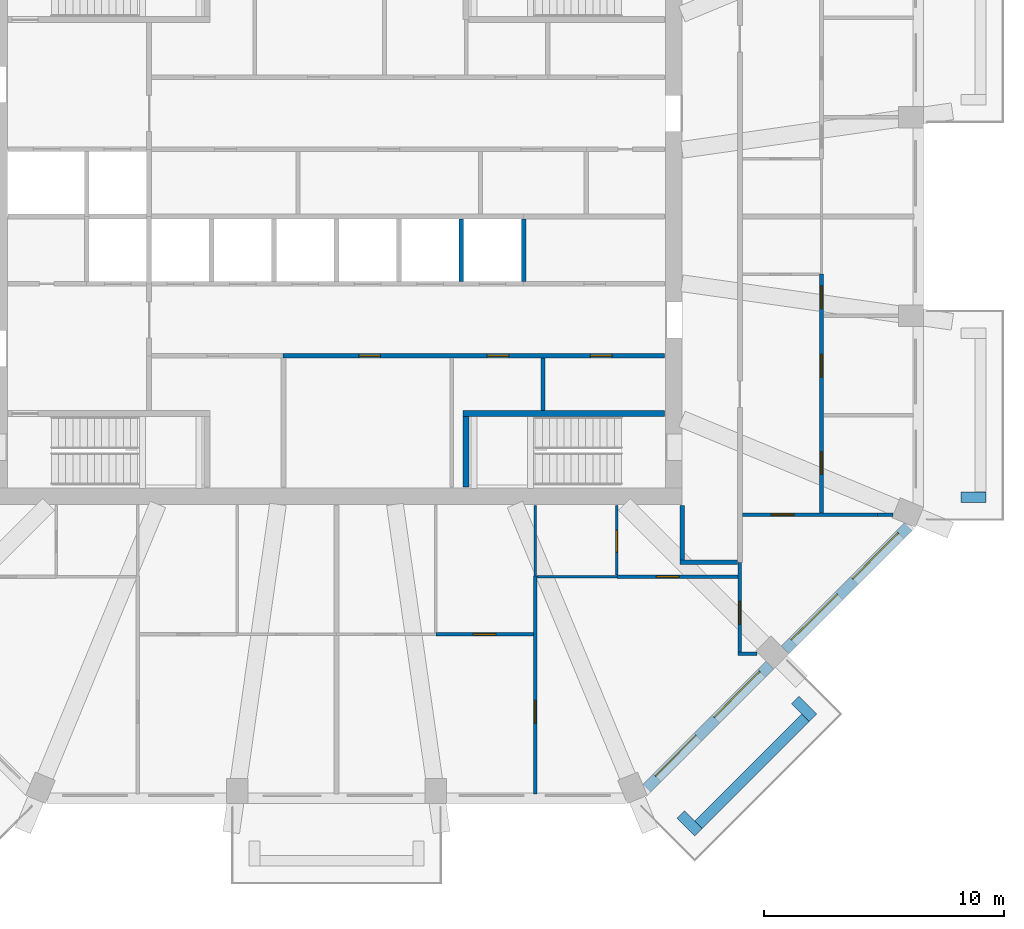
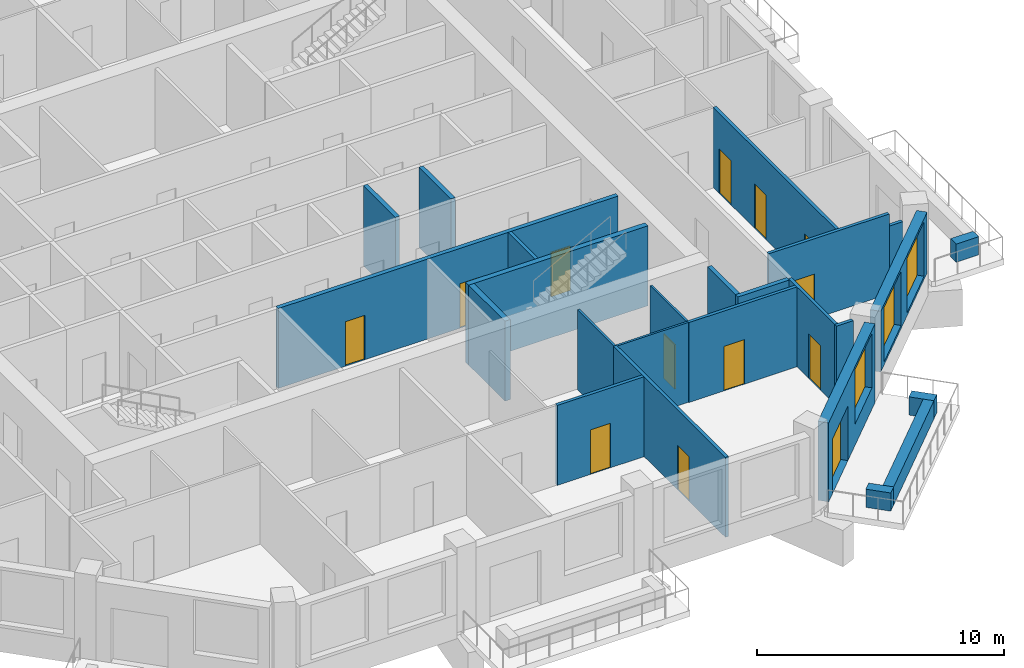
# One storey, part 5 of 12: 25 walls, 13 doors, 3 windows, 16 openings.
"""IFC4 building model written with IfcOpenShell, lengths in metres."""

from ifc_helpers import new_model, si_unit, direction, frame, frame_2d, origin, place, context, subcontext, project, spatial, rectangle, extrude, material, layer, layer_set, type_object, element, fill, save


model = new_model("IFC4")

# Units and contexts
model_context = context("Model", 3, precision=1e-05, world=origin(), true_north=direction((0.0, 1.0)))
body_context = subcontext(model_context, "Body", "Model", "MODEL_VIEW")
ifc_project = project(units=[si_unit("LENGTHUNIT", "METRE"), si_unit("AREAUNIT", "SQUARE_METRE"), si_unit("VOLUMEUNIT", "CUBIC_METRE"), si_unit("PLANEANGLEUNIT", "RADIAN"), si_unit("MASSUNIT", "GRAM", prefix="KILO")], contexts=[model_context])

# Site, building, storey
site_placement = place(None, origin())
site = spatial("IfcSite", under=ifc_project, at=site_placement, CompositionType="ELEMENT")
building_placement = place(site_placement, origin())
building = spatial("IfcBuilding", under=site, at=building_placement, Name="Msitu Wima Residences", CompositionType="ELEMENT")
storey_placement = place(building_placement, frame((0.0, 0.0, 162.300048828125)))
storey = spatial("IfcBuildingStorey", under=building, at=storey_placement, Name="L37", CompositionType="ELEMENT", Elevation=162.300048828125)

# Walls
ifc_material_1 = material(Name="Facing brick")
ifc_layer_1 = layer(ifc_material_1, 0.06494140625, Name="Facing brick")
ifc_material_2 = material(Name="Concrete C40/50", Category="concrete")
ifc_layer_2 = layer(ifc_material_2, 0.156005859375, Name="Concrete C40/50")
ifc_material_3 = material(Name="Waterproofing membrane")
ifc_layer_3 = layer(ifc_material_3, 0.00390625, Name="Waterproofing membrane")
ifc_material_4 = material(Name="Planting soil and planting")
ifc_layer_4 = layer(ifc_material_4, 0.22509765625, Name="Planting soil and planting")
ifc_layer_set_1 = layer_set([ifc_layer_1, ifc_layer_2, ifc_layer_3, ifc_layer_4], Name="Concrete C40/50")
wall_type_1 = type_object("IfcWallType", Name="Balcony planter PLANTER PL450", PredefinedType="USERDEFINED", material=ifc_layer_set_1)
wall_1_placement = place(storey_placement, frame((26.0, -11.686767578125, 0.0), z_axis=(0.0, 0.0, 1.0), x_axis=(1.0, 0.0, 0.0)))
element("IfcWall", 1, at=wall_1_placement, inside=storey, type_object=wall_type_1, Name="Balcony planter E0 L37", ObjectType="PLANTER", PredefinedType="USERDEFINED", context=body_context, shape_type="SweptSolid", body=[
    extrude(rectangle(XDim=1.050048828125, YDim=0.449951171875, at=frame_2d((0.52490234375, 0.0))), origin(), (0.0, 0.0, 1.0), 0.89990234375),
])
wall_2_placement = place(storey_placement, frame((15.0810546875, -25.325927734375, 0.0), z_axis=(0.0, 0.0, 1.0), x_axis=(0.707106781187, 0.707106781187, 0.0)))
element("IfcWall", 2, at=wall_2_placement, inside=storey, type_object=wall_type_1, Name="Balcony planter SE0 L37", ObjectType="PLANTER", PredefinedType="USERDEFINED", context=body_context, shape_type="SweptSolid", body=[
    extrude(rectangle(XDim=6.294189453125, YDim=0.449951171875, at=frame_2d((3.14697265625, 0.0))), origin(), (0.0, 0.0, 1.0), 0.89990234375),
])
for number, where, z_axis, x_axis, name in (
    (3, (14.338623046875, -24.901611328125, 0.0), (0.0, 0.0, 1.0), (0.707106781187, -0.707106781187, 0.0), "Balcony planter SE0 L37"),
    (4, (19.107421875, -20.1328125, 0.0), (0.0, 0.0, 1.0), (0.707106781187, -0.707106781187, 0.0), "Balcony planter SE0 L37"),
):
    element("IfcWall", number, at=place(storey_placement, frame(where, z_axis=z_axis, x_axis=x_axis)), inside=storey, type_object=wall_type_1, Name=name, ObjectType="PLANTER", PredefinedType="USERDEFINED", context=body_context, shape_type="SweptSolid", body=[
        extrude(rectangle(XDim=1.050048828125, YDim=0.449951171875, at=frame_2d((0.52490234375, 0.0))), origin(), (0.0, 0.0, 1.0), 0.89990234375),
    ])

# Wall, openings, door, window
ifc_material_5 = material(Name="Brick (red buff mix)", Category="masonry")
ifc_layer_5 = layer(ifc_material_5, 0.449951171875)
ifc_layer_set_2 = layer_set([ifc_layer_5], Name="Brick (red buff mix)")
wall_type_2 = type_object("IfcWallType", Name="Brick infill wall BW450", PredefinedType="SOLIDWALL", material=ifc_layer_set_2)
wall_3_placement = place(storey_placement, frame((12.915283203125, -23.814697265625, 0.0), z_axis=(0.0, 0.0, 1.0), x_axis=(0.707106781187, 0.707106781187, 0.0)))
wall_3 = element("IfcWall", 5, at=wall_3_placement, inside=storey, type_object=wall_type_2, Name="Brick infill wall L37 SE0", PredefinedType="SOLIDWALL", context=body_context, shape_type="SweptSolid", body=[
    extrude(rectangle(XDim=7.257080078125, YDim=0.449951171875, at=frame_2d((3.62841796875, 0.0))), origin(), (0.0, 0.0, 1.0), 3.89990234375),
])
opening_1_placement = place(wall_3_placement, frame((0.6142578125, 0.0, 0.0)))
opening_1 = element("IfcOpeningElement", 6, at=opening_1_placement, cuts=wall_3, Name="Opening D37.007", PredefinedType="OPENING", context=body_context, shape_type="SweptSolid", body=[
    extrude(rectangle(XDim=2.39990234375, YDim=2.699951171875, at=frame_2d((1.199951171875, 1.35009765625))), frame((0.0, 0.23486328125, 0.0), z_axis=(0.0, -1.0, 0.0), x_axis=(1.0, 0.0, 0.0)), (0.0, 0.0, 1.0), 0.469970703125),
])
opening_2_placement = place(wall_3_placement, frame((4.07861328125, 0.0, 1.050048828125)))
opening_2 = element("IfcOpeningElement", 7, at=opening_2_placement, cuts=wall_3, Name="Opening W37.021", PredefinedType="OPENING", context=body_context, shape_type="SweptSolid", body=[
    extrude(rectangle(XDim=2.699951171875, YDim=2.699951171875, at=frame_2d((1.35009765625, 1.35009765625))), frame((0.0, 0.23486328125, 0.0), z_axis=(0.0, -1.0, 0.0), x_axis=(1.0, 0.0, 0.0)), (0.0, 0.0, 1.0), 0.469970703125),
])
ifc_material_6 = material(Name="Anodised aluminium, bronze finish, clear low-emissivity double glazing", Category="aluminium")
door_type_1 = type_object("IfcDoorType", Name="Balcony door D2400x2700", OperationType="SLIDING_TO_LEFT", PredefinedType="DOOR", material=ifc_material_6)
door_1_placement = place(opening_1_placement, origin())
door_1 = element("IfcDoor", 8, at=door_1_placement, inside=storey, type_object=door_type_1, Name="Balcony door L37 SE0", OperationType="SINGLE_SWING_LEFT", OverallHeight=2.699951171875, OverallWidth=2.39990234375, PredefinedType="DOOR", context=body_context, shape_type="SweptSolid", body=[
    extrude(rectangle(XDim=2.39990234375, YDim=2.699951171875, at=frame_2d((1.199951171875, 1.35009765625))), frame((0.0, 0.1298828125, 0.0), z_axis=(0.0, -1.0, 0.0), x_axis=(1.0, 0.0, 0.0)), (0.0, 0.0, 1.0), 0.050048828125),
])
fill(opening_1, door_1)
window_type = type_object("IfcWindowType", Name="Window W2700x2700", PartitioningType="DOUBLE_PANEL_VERTICAL", PredefinedType="WINDOW", material=ifc_material_6)
window_1_placement = place(opening_2_placement, origin())
window_1 = element("IfcWindow", 9, at=window_1_placement, inside=storey, type_object=window_type, Name="Window L37 SE0.2", OverallHeight=2.699951171875, OverallWidth=2.699951171875, PartitioningType="SINGLE_PANEL", PredefinedType="WINDOW", context=body_context, shape_type="SweptSolid", body=[
    extrude(rectangle(XDim=2.699951171875, YDim=2.699951171875, at=frame_2d((1.35009765625, 1.35009765625))), frame((0.0, 0.135009765625, 0.0), z_axis=(0.0, -1.0, 0.0), x_axis=(1.0, 0.0, 0.0)), (0.0, 0.0, 1.0), 0.06005859375),
])
fill(opening_2, window_1)

# Wall, openings, windows
wall_4_placement = place(storey_placement, frame((18.68310546875, -18.046875, 0.89990234375), z_axis=(0.0, 0.0, 1.0), x_axis=(0.707106781187, 0.707106781187, 0.0)))
wall_4 = element("IfcWall", 10, at=wall_4_placement, inside=storey, type_object=wall_type_2, Name="Brick infill wall L37 SE1", PredefinedType="SOLIDWALL", context=body_context, shape_type="SweptSolid", body=[
    extrude(rectangle(XDim=7.257080078125, YDim=0.449951171875, at=frame_2d((3.62841796875, 0.0))), origin(), (0.0, 0.0, 1.0), 3.0),
])
opening_3_placement = place(wall_4_placement, frame((0.478515625, 0.0, 0.14990234375)))
opening_3 = element("IfcOpeningElement", 11, at=opening_3_placement, cuts=wall_4, Name="Opening W37.022", PredefinedType="OPENING", context=body_context, shape_type="SweptSolid", body=[
    extrude(rectangle(XDim=2.699951171875, YDim=2.699951171875, at=frame_2d((1.35009765625, 1.35009765625))), frame((0.0, 0.23486328125, 0.0), z_axis=(0.0, -1.0, 0.0), x_axis=(1.0, 0.0, 0.0)), (0.0, 0.0, 1.0), 0.469970703125),
])
opening_4_placement = place(wall_4_placement, frame((4.07861328125, 0.0, 0.14990234375)))
opening_4 = element("IfcOpeningElement", 12, at=opening_4_placement, cuts=wall_4, Name="Opening W37.023", PredefinedType="OPENING", context=body_context, shape_type="SweptSolid", body=[
    extrude(rectangle(XDim=2.699951171875, YDim=2.699951171875, at=frame_2d((1.35009765625, 1.35009765625))), frame((0.0, 0.23486328125, 0.0), z_axis=(0.0, -1.0, 0.0), x_axis=(1.0, 0.0, 0.0)), (0.0, 0.0, 1.0), 0.469970703125),
])
window_2_placement = place(opening_3_placement, origin())
window_2 = element("IfcWindow", 13, at=window_2_placement, inside=storey, type_object=window_type, Name="Window L37 SE1.1", OverallHeight=2.699951171875, OverallWidth=2.699951171875, PartitioningType="SINGLE_PANEL", PredefinedType="WINDOW", context=body_context, shape_type="SweptSolid", body=[
    extrude(rectangle(XDim=2.699951171875, YDim=2.699951171875, at=frame_2d((1.35009765625, 1.35009765625))), frame((0.0, 0.135009765625, 0.0), z_axis=(0.0, -1.0, 0.0), x_axis=(1.0, 0.0, 0.0)), (0.0, 0.0, 1.0), 0.06005859375),
])
fill(opening_3, window_2)
window_3_placement = place(opening_4_placement, origin())
window_3 = element("IfcWindow", 14, at=window_3_placement, inside=storey, type_object=window_type, Name="Window L37 SE1.2", OverallHeight=2.699951171875, OverallWidth=2.699951171875, PartitioningType="SINGLE_PANEL", PredefinedType="WINDOW", context=body_context, shape_type="SweptSolid", body=[
    extrude(rectangle(XDim=2.699951171875, YDim=2.699951171875, at=frame_2d((1.35009765625, 1.35009765625))), frame((0.0, 0.135009765625, 0.0), z_axis=(0.0, -1.0, 0.0), x_axis=(1.0, 0.0, 0.0)), (0.0, 0.0, 1.0), 0.06005859375),
])
fill(opening_4, window_3)

# Wall, openings, doors
ifc_material_7 = material(Name="Plaster")
ifc_layer_6 = layer(ifc_material_7, 0.011962890625, Name="Plaster")
ifc_material_8 = material(Name="Concrete blockwork", Category="masonry")
ifc_layer_7 = layer(ifc_material_8, 0.176025390625, Name="Concrete blockwork")
ifc_layer_8 = layer(ifc_material_7, 0.011962890625, Name="Plaster")
ifc_layer_set_3 = layer_set([ifc_layer_6, ifc_layer_7, ifc_layer_8], Name="Concrete blockwork")
wall_type_3 = type_object("IfcWallType", Name="Corridor wall FW200", PredefinedType="PARTITIONING", material=ifc_layer_set_3)
wall_5_placement = place(storey_placement, frame((-2.219970703125, -5.800048828125, 0.0), z_axis=(0.0, 0.0, 1.0), x_axis=(1.0, 0.0, 0.0)))
wall_5 = element("IfcWall", 15, at=wall_5_placement, inside=storey, type_object=wall_type_3, Name="Corridor wall", PredefinedType="PARTITIONING", context=body_context, shape_type="SweptSolid", body=[
    extrude(rectangle(XDim=15.889892578125, YDim=0.199951171875, at=frame_2d((7.94482421875, 0.0))), origin(), (0.0, 0.0, 1.0), 3.949951171875),
])
opening_5_placement = place(wall_5_placement, frame((3.14990234375, 0.0, 0.0)))
opening_5 = element("IfcOpeningElement", 16, at=opening_5_placement, cuts=wall_5, Name="Opening D37.070", PredefinedType="OPENING", context=body_context, shape_type="SweptSolid", body=[
    extrude(rectangle(XDim=0.89990234375, YDim=2.199951171875, at=frame_2d((0.449951171875, 1.10009765625))), frame((0.0, 0.10986328125, 0.0), z_axis=(0.0, -1.0, 0.0), x_axis=(1.0, 0.0, 0.0)), (0.0, 0.0, 1.0), 0.219970703125),
])
opening_6_placement = place(wall_5_placement, frame((8.5, 0.0, 0.0)))
opening_6 = element("IfcOpeningElement", 17, at=opening_6_placement, cuts=wall_5, Name="Opening D37.071", PredefinedType="OPENING", context=body_context, shape_type="SweptSolid", body=[
    extrude(rectangle(XDim=0.89990234375, YDim=2.199951171875, at=frame_2d((0.449951171875, 1.10009765625))), frame((0.0, 0.10986328125, 0.0), z_axis=(0.0, -1.0, 0.0), x_axis=(1.0, 0.0, 0.0)), (0.0, 0.0, 1.0), 0.219970703125),
])
opening_7_placement = place(wall_5_placement, frame((12.800048828125, 0.0, 0.0)))
opening_7 = element("IfcOpeningElement", 18, at=opening_7_placement, cuts=wall_5, Name="Opening D37.072", PredefinedType="OPENING", context=body_context, shape_type="SweptSolid", body=[
    extrude(rectangle(XDim=0.89990234375, YDim=2.199951171875, at=frame_2d((0.449951171875, 1.10009765625))), frame((0.0, 0.10986328125, 0.0), z_axis=(0.0, -1.0, 0.0), x_axis=(1.0, 0.0, 0.0)), (0.0, 0.0, 1.0), 0.219970703125),
])
ifc_material_9 = material(Name="Timber flush door", Category="wood")
door_type_2 = type_object("IfcDoorType", Name="Service door D05 900x2200", OperationType="SINGLE_SWING_LEFT", PredefinedType="DOOR", material=ifc_material_9)
door_2_placement = place(opening_5_placement, origin())
door_2 = element("IfcDoor", 19, at=door_2_placement, inside=storey, type_object=door_type_2, Name="Service door", OperationType="SINGLE_SWING_LEFT", OverallHeight=2.199951171875, OverallWidth=0.89990234375, PredefinedType="DOOR", context=body_context, shape_type="SweptSolid", body=[
    extrude(rectangle(XDim=0.89990234375, YDim=2.199951171875, at=frame_2d((0.449951171875, 1.10009765625))), frame((0.0, 0.02490234375, 0.0), z_axis=(0.0, -1.0, 0.0), x_axis=(1.0, 0.0, 0.0)), (0.0, 0.0, 1.0), 0.050048828125),
])
fill(opening_5, door_2)
door_3_placement = place(opening_6_placement, origin())
door_3 = element("IfcDoor", 20, at=door_3_placement, inside=storey, type_object=door_type_2, Name="Service door", OperationType="SINGLE_SWING_LEFT", OverallHeight=2.199951171875, OverallWidth=0.89990234375, PredefinedType="DOOR", context=body_context, shape_type="SweptSolid", body=[
    extrude(rectangle(XDim=0.89990234375, YDim=2.199951171875, at=frame_2d((0.449951171875, 1.10009765625))), frame((0.0, 0.02490234375, 0.0), z_axis=(0.0, -1.0, 0.0), x_axis=(1.0, 0.0, 0.0)), (0.0, 0.0, 1.0), 0.050048828125),
])
fill(opening_6, door_3)
door_4_placement = place(opening_7_placement, origin())
door_4 = element("IfcDoor", 21, at=door_4_placement, inside=storey, type_object=door_type_2, Name="Service door", OperationType="SINGLE_SWING_RIGHT", OverallHeight=2.199951171875, OverallWidth=0.89990234375, PredefinedType="DOOR", context=body_context, shape_type="SweptSolid", body=[
    extrude(rectangle(XDim=0.89990234375, YDim=2.199951171875, at=frame_2d((0.449951171875, 1.10009765625))), frame((0.0, 0.02490234375, 0.0), z_axis=(0.0, -1.0, 0.0), x_axis=(1.0, 0.0, 0.0)), (0.0, 0.0, 1.0), 0.050048828125),
])
fill(opening_7, door_4)

# Walls
wall_6_placement = place(storey_placement, frame((14.39990234375, -14.300048828125, 0.0), z_axis=(0.0, 0.0, 1.0), x_axis=(0.0, 1.0, 0.0)))
element("IfcWall", 22, at=wall_6_placement, inside=storey, type_object=wall_type_3, Name="Corridor wall", PredefinedType="PARTITIONING", context=body_context, shape_type="SweptSolid", body=[
    extrude(rectangle(XDim=2.27001953125, YDim=0.199951171875, at=frame_2d((1.135009765625, 0.0))), origin(), (0.0, 0.0, 1.0), 3.949951171875),
])
wall_7_placement = place(storey_placement, frame((14.300048828125, -14.39990234375, 0.0), z_axis=(0.0, 0.0, 1.0), x_axis=(1.0, 0.0, 0.0)))
element("IfcWall", 23, at=wall_7_placement, inside=storey, type_object=wall_type_3, Name="Corridor wall", PredefinedType="PARTITIONING", context=body_context, shape_type="SweptSolid", body=[
    extrude(rectangle(XDim=2.39990234375, YDim=0.199951171875, at=frame_2d((1.199951171875, 0.0))), origin(), (0.0, 0.0, 1.0), 3.949951171875),
])

# Wall, opening, door
ifc_layer_9 = layer(ifc_material_7, 0.011962890625, Name="Plaster")
ifc_layer_10 = layer(ifc_material_8, 0.1259765625, Name="Concrete blockwork")
ifc_layer_11 = layer(ifc_material_7, 0.011962890625, Name="Plaster")
ifc_layer_set_4 = layer_set([ifc_layer_9, ifc_layer_10, ifc_layer_11], Name="Concrete blockwork")
wall_type_4 = type_object("IfcWallType", Name="Partition PW150", PredefinedType="PARTITIONING", material=ifc_layer_set_4)
wall_8_placement = place(storey_placement, frame((4.13720703125, -17.39990234375, 0.0), z_axis=(0.0, 0.0, 1.0), x_axis=(1.0, 0.0, 0.0)))
wall_8 = element("IfcWall", 24, at=wall_8_placement, inside=storey, type_object=wall_type_4, Name="Partition", PredefinedType="PARTITIONING", context=body_context, shape_type="SweptSolid", body=[
    extrude(rectangle(XDim=4.062255859375, YDim=0.14990234375, at=frame_2d((2.03125, 0.0))), origin(), (0.0, 0.0, 1.0), 3.949951171875),
])
opening_8_placement = place(wall_8_placement, frame((1.550048828125, 0.0, 0.0)))
opening_8 = element("IfcOpeningElement", 25, at=opening_8_placement, cuts=wall_8, Name="Opening D37.049", PredefinedType="OPENING", context=body_context, shape_type="SweptSolid", body=[
    extrude(rectangle(XDim=0.949951171875, YDim=2.199951171875, at=frame_2d((0.47509765625, 1.10009765625))), frame((0.0, 0.0849609375, 0.0), z_axis=(0.0, -1.0, 0.0), x_axis=(1.0, 0.0, 0.0)), (0.0, 0.0, 1.0), 0.169921875),
])
door_type_3 = type_object("IfcDoorType", Name="Room door D12 950x2200", OperationType="SINGLE_SWING_LEFT", PredefinedType="DOOR", material=ifc_material_9)
door_5_placement = place(opening_8_placement, origin())
door_5 = element("IfcDoor", 26, at=door_5_placement, inside=storey, type_object=door_type_3, Name="Room door", OperationType="SINGLE_SWING_LEFT", OverallHeight=2.199951171875, OverallWidth=0.949951171875, PredefinedType="DOOR", context=body_context, shape_type="SweptSolid", body=[
    extrude(rectangle(XDim=0.949951171875, YDim=2.199951171875, at=frame_2d((0.47509765625, 1.10009765625))), frame((0.0, 0.02490234375, 0.0), z_axis=(0.0, -1.0, 0.0), x_axis=(1.0, 0.0, 0.0)), (0.0, 0.0, 1.0), 0.050048828125),
])
fill(opening_8, door_5)

wall_9_placement = place(storey_placement, frame((8.2744140625, -24.054931640625, 0.0), z_axis=(0.0, 0.0, 1.0), x_axis=(0.0, 1.0, 0.0)))
wall_9 = element("IfcWall", 27, at=wall_9_placement, inside=storey, type_object=wall_type_4, Name="Partition", PredefinedType="PARTITIONING", context=body_context, shape_type="SweptSolid", body=[
    extrude(rectangle(XDim=9.074951171875, YDim=0.14990234375, at=frame_2d((4.53759765625, 0.0))), origin(), (0.0, 0.0, 1.0), 3.949951171875),
])
opening_9_placement = place(wall_9_placement, frame((2.949951171875, 0.0, 0.0)))
opening_9 = element("IfcOpeningElement", 28, at=opening_9_placement, cuts=wall_9, Name="Opening D37.056", PredefinedType="OPENING", context=body_context, shape_type="SweptSolid", body=[
    extrude(rectangle(XDim=0.949951171875, YDim=2.199951171875, at=frame_2d((0.47509765625, 1.10009765625))), frame((0.0, 0.0849609375, 0.0), z_axis=(0.0, -1.0, 0.0), x_axis=(1.0, 0.0, 0.0)), (0.0, 0.0, 1.0), 0.169921875),
])
door_6_placement = place(opening_9_placement, origin())
door_6 = element("IfcDoor", 29, at=door_6_placement, inside=storey, type_object=door_type_3, Name="Room door", OperationType="SINGLE_SWING_RIGHT", OverallHeight=2.199951171875, OverallWidth=0.949951171875, PredefinedType="DOOR", context=body_context, shape_type="SweptSolid", body=[
    extrude(rectangle(XDim=0.949951171875, YDim=2.199951171875, at=frame_2d((0.47509765625, 1.10009765625))), frame((0.0, 0.02490234375, 0.0), z_axis=(0.0, -1.0, 0.0), x_axis=(1.0, 0.0, 0.0)), (0.0, 0.0, 1.0), 0.050048828125),
])
fill(opening_9, door_6)

# Wall
wall_10_placement = place(storey_placement, frame((8.60009765625, -8.074951171875, 0.0), z_axis=(0.0, 0.0, 1.0), x_axis=(0.0, 1.0, 0.0)))
element("IfcWall", 30, at=wall_10_placement, inside=storey, type_object=wall_type_4, Name="Partition", PredefinedType="PARTITIONING", context=body_context, shape_type="SweptSolid", body=[
    extrude(rectangle(XDim=2.175048828125, YDim=0.14990234375, at=frame_2d((1.08740234375, 0.0))), origin(), (0.0, 0.0, 1.0), 3.949951171875),
])

# Wall, opening, door
wall_11_placement = place(storey_placement, frame((11.674560546875, -15.0, 0.0), z_axis=(0.0, 0.0, 1.0), x_axis=(1.0, 0.0, 0.0)))
wall_11 = element("IfcWall", 31, at=wall_11_placement, inside=storey, type_object=wall_type_4, Name="Partition", PredefinedType="PARTITIONING", context=body_context, shape_type="SweptSolid", body=[
    extrude(rectangle(XDim=5.050537109375, YDim=0.14990234375, at=frame_2d((2.525390625, 0.0))), origin(), (0.0, 0.0, 1.0), 3.949951171875),
])
opening_10_placement = place(wall_11_placement, frame((1.64990234375, 0.0, 0.0)))
opening_10 = element("IfcOpeningElement", 32, at=opening_10_placement, cuts=wall_11, Name="Opening D37.057", PredefinedType="OPENING", context=body_context, shape_type="SweptSolid", body=[
    extrude(rectangle(XDim=0.949951171875, YDim=2.199951171875, at=frame_2d((0.47509765625, 1.10009765625))), frame((0.0, 0.0849609375, 0.0), z_axis=(0.0, -1.0, 0.0), x_axis=(1.0, 0.0, 0.0)), (0.0, 0.0, 1.0), 0.169921875),
])
door_7_placement = place(opening_10_placement, origin())
door_7 = element("IfcDoor", 33, at=door_7_placement, inside=storey, type_object=door_type_3, Name="Room door", OperationType="SINGLE_SWING_LEFT", OverallHeight=2.199951171875, OverallWidth=0.949951171875, PredefinedType="DOOR", context=body_context, shape_type="SweptSolid", body=[
    extrude(rectangle(XDim=0.949951171875, YDim=2.199951171875, at=frame_2d((0.47509765625, 1.10009765625))), frame((0.0, 0.02490234375, 0.0), z_axis=(0.0, -1.0, 0.0), x_axis=(1.0, 0.0, 0.0)), (0.0, 0.0, 1.0), 0.050048828125),
])
fill(opening_10, door_7)

wall_12_placement = place(storey_placement, frame((16.800048828125, -18.130859375, 0.0), z_axis=(0.0, 0.0, 1.0), x_axis=(0.0, 1.0, 0.0)))
wall_12 = element("IfcWall", 34, at=wall_12_placement, inside=storey, type_object=wall_type_4, Name="Partition", PredefinedType="PARTITIONING", context=body_context, shape_type="SweptSolid", body=[
    extrude(rectangle(XDim=3.73095703125, YDim=0.14990234375, at=frame_2d((1.865478515625, 0.0))), origin(), (0.0, 0.0, 1.0), 3.949951171875),
])
opening_11_placement = place(wall_12_placement, frame((1.14990234375, 0.0, 0.0)))
opening_11 = element("IfcOpeningElement", 35, at=opening_11_placement, cuts=wall_12, Name="Opening D37.055", PredefinedType="OPENING", context=body_context, shape_type="SweptSolid", body=[
    extrude(rectangle(XDim=0.949951171875, YDim=2.199951171875, at=frame_2d((0.47509765625, 1.10009765625))), frame((0.0, 0.0849609375, 0.0), z_axis=(0.0, -1.0, 0.0), x_axis=(1.0, 0.0, 0.0)), (0.0, 0.0, 1.0), 0.169921875),
])
door_8_placement = place(opening_11_placement, origin())
door_8 = element("IfcDoor", 36, at=door_8_placement, inside=storey, type_object=door_type_3, Name="Room door", OperationType="SINGLE_SWING_RIGHT", OverallHeight=2.199951171875, OverallWidth=0.949951171875, PredefinedType="DOOR", context=body_context, shape_type="SweptSolid", body=[
    extrude(rectangle(XDim=0.949951171875, YDim=2.199951171875, at=frame_2d((0.47509765625, 1.10009765625))), frame((0.0, 0.02490234375, 0.0), z_axis=(0.0, -1.0, 0.0), x_axis=(1.0, 0.0, 0.0)), (0.0, 0.0, 1.0), 0.050048828125),
])
fill(opening_11, door_8)

# Wall
wall_13_placement = place(storey_placement, frame((16.72509765625, -18.205810546875, 0.0), z_axis=(0.0, 0.0, 1.0), x_axis=(1.0, 0.0, 0.0)))
element("IfcWall", 37, at=wall_13_placement, inside=storey, type_object=wall_type_4, Name="Partition", PredefinedType="PARTITIONING", context=body_context, shape_type="SweptSolid", body=[
    extrude(rectangle(XDim=0.784423828125, YDim=0.14990234375, at=frame_2d((0.39208984375, 0.0))), origin(), (0.0, 0.0, 1.0), 3.949951171875),
])

# Wall, opening, door
wall_14_placement = place(storey_placement, frame((16.89990234375, -12.411865234375, 0.0), z_axis=(0.0, 0.0, 1.0), x_axis=(1.0, 0.0, 0.0)))
wall_14 = element("IfcWall", 38, at=wall_14_placement, inside=storey, type_object=wall_type_4, Name="Partition", PredefinedType="PARTITIONING", context=body_context, shape_type="SweptSolid", body=[
    extrude(rectangle(XDim=5.638427734375, YDim=0.14990234375, at=frame_2d((2.8193359375, 0.0))), origin(), (0.0, 0.0, 1.0), 3.949951171875),
])
opening_12_placement = place(wall_14_placement, frame((1.199951171875, 0.0, 0.0)))
opening_12 = element("IfcOpeningElement", 39, at=opening_12_placement, cuts=wall_14, Name="Opening D37.054", PredefinedType="OPENING", context=body_context, shape_type="SweptSolid", body=[
    extrude(rectangle(XDim=0.949951171875, YDim=2.199951171875, at=frame_2d((0.47509765625, 1.10009765625))), frame((0.0, 0.0849609375, 0.0), z_axis=(0.0, -1.0, 0.0), x_axis=(1.0, 0.0, 0.0)), (0.0, 0.0, 1.0), 0.169921875),
])
door_9_placement = place(opening_12_placement, origin())
door_9 = element("IfcDoor", 40, at=door_9_placement, inside=storey, type_object=door_type_3, Name="Room door", OperationType="SINGLE_SWING_RIGHT", OverallHeight=2.199951171875, OverallWidth=0.949951171875, PredefinedType="DOOR", context=body_context, shape_type="SweptSolid", body=[
    extrude(rectangle(XDim=0.949951171875, YDim=2.199951171875, at=frame_2d((0.47509765625, 1.10009765625))), frame((0.0, 0.02490234375, 0.0), z_axis=(0.0, -1.0, 0.0), x_axis=(1.0, 0.0, 0.0)), (0.0, 0.0, 1.0), 0.050048828125),
])
fill(opening_12, door_9)

# Wall
wall_15_placement = place(storey_placement, frame((22.538330078125, -12.411865234375, 0.0), z_axis=(0.0, 0.0, 1.0), x_axis=(1.0, 0.0, 0.0)))
element("IfcWall", 41, at=wall_15_placement, inside=storey, type_object=wall_type_4, Name="Partition", PredefinedType="PARTITIONING", context=body_context, shape_type="SweptSolid", body=[
    extrude(rectangle(XDim=0.630615234375, YDim=0.14990234375, at=frame_2d((0.3154296875, 0.0))), origin(), (0.0, 0.0, 1.0), 3.349853515625),
])

# Wall, openings, doors
wall_16_placement = place(storey_placement, frame((20.199951171875, -12.336669921875, 0.0), z_axis=(0.0, 0.0, 1.0), x_axis=(0.0, 1.0, 0.0)))
wall_16 = element("IfcWall", 42, at=wall_16_placement, inside=storey, type_object=wall_type_4, Name="Partition", PredefinedType="PARTITIONING", context=body_context, shape_type="SweptSolid", body=[
    extrude(rectangle(XDim=9.936767578125, YDim=0.14990234375, at=frame_2d((4.96826171875, 0.0))), origin(), (0.0, 0.0, 1.0), 3.949951171875),
])
opening_13_placement = place(wall_16_placement, frame((8.5, 0.0, 0.0)))
opening_13 = element("IfcOpeningElement", 43, at=opening_13_placement, cuts=wall_16, Name="Opening D37.051", PredefinedType="OPENING", context=body_context, shape_type="SweptSolid", body=[
    extrude(rectangle(XDim=0.949951171875, YDim=2.199951171875, at=frame_2d((0.47509765625, 1.10009765625))), frame((0.0, 0.0849609375, 0.0), z_axis=(0.0, -1.0, 0.0), x_axis=(1.0, 0.0, 0.0)), (0.0, 0.0, 1.0), 0.169921875),
])
opening_14_placement = place(wall_16_placement, frame((5.64990234375, 0.0, 0.0)))
opening_14 = element("IfcOpeningElement", 44, at=opening_14_placement, cuts=wall_16, Name="Opening D37.052", PredefinedType="OPENING", context=body_context, shape_type="SweptSolid", body=[
    extrude(rectangle(XDim=0.949951171875, YDim=2.199951171875, at=frame_2d((0.47509765625, 1.10009765625))), frame((0.0, 0.0849609375, 0.0), z_axis=(0.0, -1.0, 0.0), x_axis=(1.0, 0.0, 0.0)), (0.0, 0.0, 1.0), 0.169921875),
])
opening_15_placement = place(wall_16_placement, frame((1.60009765625, 0.0, 0.0)))
opening_15 = element("IfcOpeningElement", 45, at=opening_15_placement, cuts=wall_16, Name="Opening D37.053", PredefinedType="OPENING", context=body_context, shape_type="SweptSolid", body=[
    extrude(rectangle(XDim=0.949951171875, YDim=2.199951171875, at=frame_2d((0.47509765625, 1.10009765625))), frame((0.0, 0.0849609375, 0.0), z_axis=(0.0, -1.0, 0.0), x_axis=(1.0, 0.0, 0.0)), (0.0, 0.0, 1.0), 0.169921875),
])
door_10_placement = place(opening_13_placement, origin())
door_10 = element("IfcDoor", 46, at=door_10_placement, inside=storey, type_object=door_type_3, Name="Room door", OperationType="SINGLE_SWING_RIGHT", OverallHeight=2.199951171875, OverallWidth=0.949951171875, PredefinedType="DOOR", context=body_context, shape_type="SweptSolid", body=[
    extrude(rectangle(XDim=0.949951171875, YDim=2.199951171875, at=frame_2d((0.47509765625, 1.10009765625))), frame((0.0, 0.02490234375, 0.0), z_axis=(0.0, -1.0, 0.0), x_axis=(1.0, 0.0, 0.0)), (0.0, 0.0, 1.0), 0.050048828125),
])
fill(opening_13, door_10)
door_11_placement = place(opening_14_placement, origin())
door_11 = element("IfcDoor", 47, at=door_11_placement, inside=storey, type_object=door_type_3, Name="Room door", OperationType="SINGLE_SWING_RIGHT", OverallHeight=2.199951171875, OverallWidth=0.949951171875, PredefinedType="DOOR", context=body_context, shape_type="SweptSolid", body=[
    extrude(rectangle(XDim=0.949951171875, YDim=2.199951171875, at=frame_2d((0.47509765625, 1.10009765625))), frame((0.0, 0.02490234375, 0.0), z_axis=(0.0, -1.0, 0.0), x_axis=(1.0, 0.0, 0.0)), (0.0, 0.0, 1.0), 0.050048828125),
])
fill(opening_14, door_11)
door_12_placement = place(opening_15_placement, origin())
door_12 = element("IfcDoor", 48, at=door_12_placement, inside=storey, type_object=door_type_3, Name="Room door", OperationType="SINGLE_SWING_LEFT", OverallHeight=2.199951171875, OverallWidth=0.949951171875, PredefinedType="DOOR", context=body_context, shape_type="SweptSolid", body=[
    extrude(rectangle(XDim=0.949951171875, YDim=2.199951171875, at=frame_2d((0.47509765625, 1.10009765625))), frame((0.0, 0.02490234375, 0.0), z_axis=(0.0, -1.0, 0.0), x_axis=(1.0, 0.0, 0.0)), (0.0, 0.0, 1.0), 0.050048828125),
])
fill(opening_15, door_12)

# Walls
ifc_material_10 = material(Name="Fire-rated board")
ifc_layer_12 = layer(ifc_material_10, 0.02490234375, Name="Fire-rated board")
ifc_material_11 = material(Name="Light-gauge stud framing with mineral wool")
ifc_layer_13 = layer(ifc_material_11, 0.14990234375, Name="Light-gauge stud framing with mineral wool")
ifc_layer_14 = layer(ifc_material_10, 0.02490234375, Name="Fire-rated board")
ifc_layer_set_5 = layer_set([ifc_layer_12, ifc_layer_13, ifc_layer_14], Name="Light-gauge stud framing with mineral wool")
wall_type_5 = type_object("IfcWallType", Name="Shaft wall SH200", PredefinedType="PARTITIONING", material=ifc_layer_set_5)
for number, where, z_axis, x_axis, name in (
    (49, (5.199951171875, -2.699951171875, 0.0), (0.0, 0.0, 1.0), (0.0, 1.0, 0.0), "Shaft wall"),
    (50, (7.800048828125, -2.699951171875, 0.0), (0.0, 0.0, 1.0), (0.0, 1.0, 0.0), "Shaft wall"),
):
    element("IfcWall", number, at=place(storey_placement, frame(where, z_axis=z_axis, x_axis=x_axis)), inside=storey, type_object=wall_type_5, Name=name, PredefinedType="PARTITIONING", context=body_context, shape_type="SweptSolid", body=[
        extrude(rectangle(XDim=2.599853515625, YDim=0.199951171875, at=frame_2d((1.2998046875, 0.0))), origin(), (0.0, 0.0, 1.0), 3.949951171875),
    ])
ifc_material_12 = material(Name="Concrete C50/60", Category="concrete")
ifc_layer_15 = layer(ifc_material_12, 0.25)
ifc_layer_set_6 = layer_set([ifc_layer_15], Name="Concrete C50/60")
wall_type_6 = type_object("IfcWallType", Name="Stair enclosure wall SW250", PredefinedType="SHEAR", material=ifc_layer_set_6)
wall_17_placement = place(storey_placement, frame((5.39990234375, -11.27001953125, 0.0), z_axis=(0.0, 0.0, 1.0), x_axis=(0.0, 1.0, 0.0)))
element("IfcWall", 51, at=wall_17_placement, inside=storey, type_object=wall_type_6, Name="Stair enclosure wall", PredefinedType="SHEAR", context=body_context, shape_type="SweptSolid", body=[
    extrude(rectangle(XDim=2.945068359375, YDim=0.25, at=frame_2d((1.47265625, 0.0))), origin(), (0.0, 0.0, 1.0), 3.949951171875),
])
wall_18_placement = place(storey_placement, frame((5.27490234375, -8.199951171875, 0.0), z_axis=(0.0, 0.0, 1.0), x_axis=(1.0, 0.0, 0.0)))
element("IfcWall", 52, at=wall_18_placement, inside=storey, type_object=wall_type_6, Name="Stair enclosure wall", PredefinedType="SHEAR", context=body_context, shape_type="SweptSolid", body=[
    extrude(rectangle(XDim=8.39501953125, YDim=0.25, at=frame_2d((4.197509765625, 0.0))), origin(), (0.0, 0.0, 1.0), 3.949951171875),
])
ifc_material_13 = material(Name="Ceramic tiles")
ifc_layer_16 = layer(ifc_material_13, 0.008056640625, Name="Ceramic tiles")
ifc_material_14 = material(Name="Moisture-resistant board")
ifc_layer_17 = layer(ifc_material_14, 0.012451171875, Name="Moisture-resistant board")
ifc_layer_18 = layer(ifc_material_11, 0.06689453125, Name="Light-gauge stud framing with mineral wool")
ifc_layer_19 = layer(ifc_material_14, 0.012451171875, Name="Moisture-resistant board")
ifc_layer_set_7 = layer_set([ifc_layer_16, ifc_layer_17, ifc_layer_18, ifc_layer_19], Name="Light-gauge stud framing with mineral wool")
wall_type_7 = type_object("IfcWallType", Name="Wet wall PW100", PredefinedType="PARTITIONING", material=ifc_layer_set_7)
wall_19_placement = place(storey_placement, frame((8.2744140625, -14.97998046875, 0.0), z_axis=(0.0, 0.0, 1.0), x_axis=(0.0, 1.0, 0.0)))
element("IfcWall", 53, at=wall_19_placement, inside=storey, type_object=wall_type_7, Name="Wet wall", PredefinedType="PARTITIONING", context=body_context, shape_type="SweptSolid", body=[
    extrude(rectangle(XDim=2.949951171875, YDim=0.10009765625, at=frame_2d((1.47509765625, 0.0))), origin(), (0.0, 0.0, 1.0), 3.949951171875),
])
wall_20_placement = place(storey_placement, frame((8.349609375, -15.0, 0.0), z_axis=(0.0, 0.0, 1.0), x_axis=(1.0, 0.0, 0.0)))
element("IfcWall", 54, at=wall_20_placement, inside=storey, type_object=wall_type_7, Name="Wet wall", PredefinedType="PARTITIONING", context=body_context, shape_type="SweptSolid", body=[
    extrude(rectangle(XDim=3.324951171875, YDim=0.10009765625, at=frame_2d((1.66259765625, 0.0))), origin(), (0.0, 0.0, 1.0), 3.949951171875),
])

# Wall, opening, door
wall_21_placement = place(storey_placement, frame((11.674560546875, -14.925048828125, 0.0), z_axis=(0.0, 0.0, 1.0), x_axis=(0.0, 1.0, 0.0)))
wall_21 = element("IfcWall", 55, at=wall_21_placement, inside=storey, type_object=wall_type_7, Name="Wet wall", PredefinedType="PARTITIONING", context=body_context, shape_type="SweptSolid", body=[
    extrude(rectangle(XDim=2.89501953125, YDim=0.10009765625, at=frame_2d((1.447509765625, 0.0))), origin(), (0.0, 0.0, 1.0), 3.949951171875),
])
opening_16_placement = place(wall_21_placement, frame((0.949951171875, 0.0, 0.0)))
opening_16 = element("IfcOpeningElement", 56, at=opening_16_placement, cuts=wall_21, Name="Opening D37.050", PredefinedType="OPENING", context=body_context, shape_type="SweptSolid", body=[
    extrude(rectangle(XDim=0.89990234375, YDim=2.199951171875, at=frame_2d((0.449951171875, 1.10009765625))), frame((0.0, 0.06005859375, 0.0), z_axis=(0.0, -1.0, 0.0), x_axis=(1.0, 0.0, 0.0)), (0.0, 0.0, 1.0), 0.1201171875),
])
door_13_placement = place(opening_16_placement, origin())
door_13 = element("IfcDoor", 57, at=door_13_placement, inside=storey, type_object=door_type_2, Name="Service door", OperationType="SINGLE_SWING_LEFT", OverallHeight=2.199951171875, OverallWidth=0.89990234375, PredefinedType="DOOR", context=body_context, shape_type="SweptSolid", body=[
    extrude(rectangle(XDim=0.89990234375, YDim=2.199951171875, at=frame_2d((0.449951171875, 1.10009765625))), frame((0.0, 0.02490234375, 0.0), z_axis=(0.0, -1.0, 0.0), x_axis=(1.0, 0.0, 0.0)), (0.0, 0.0, 1.0), 0.050048828125),
])
fill(opening_16, door_13)

save(model, "model.ifc")
